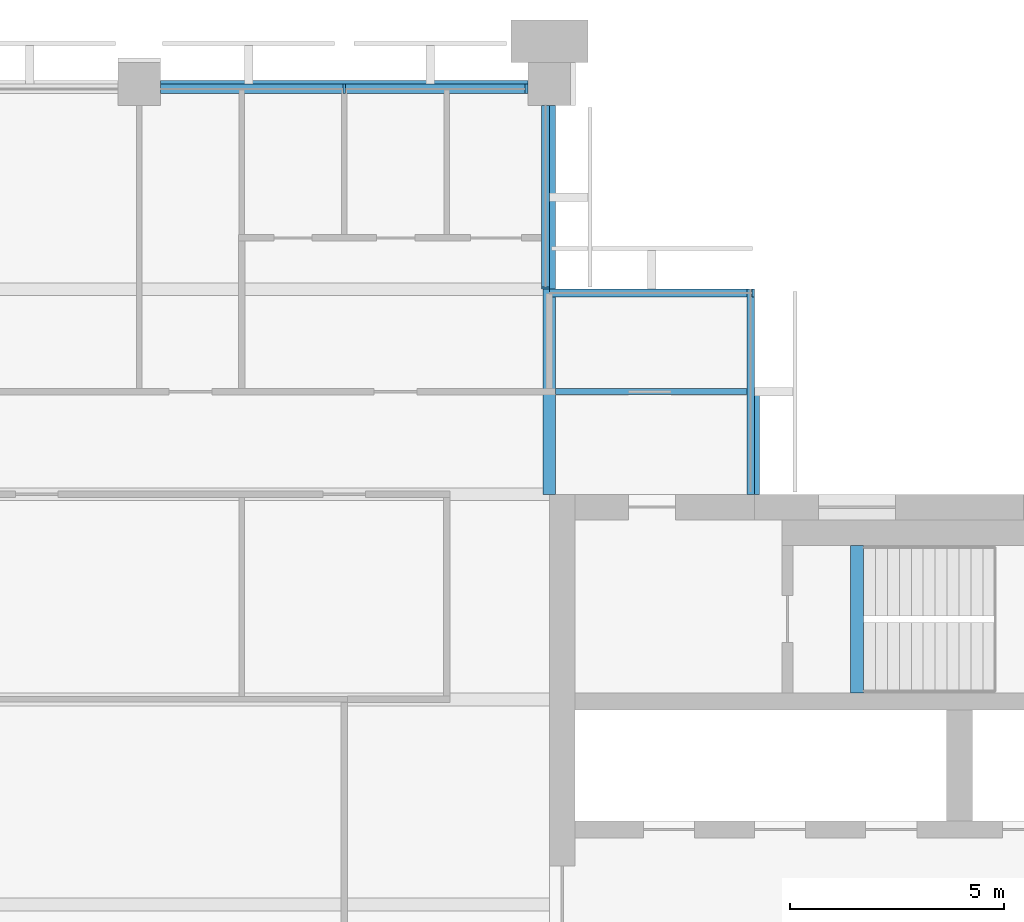
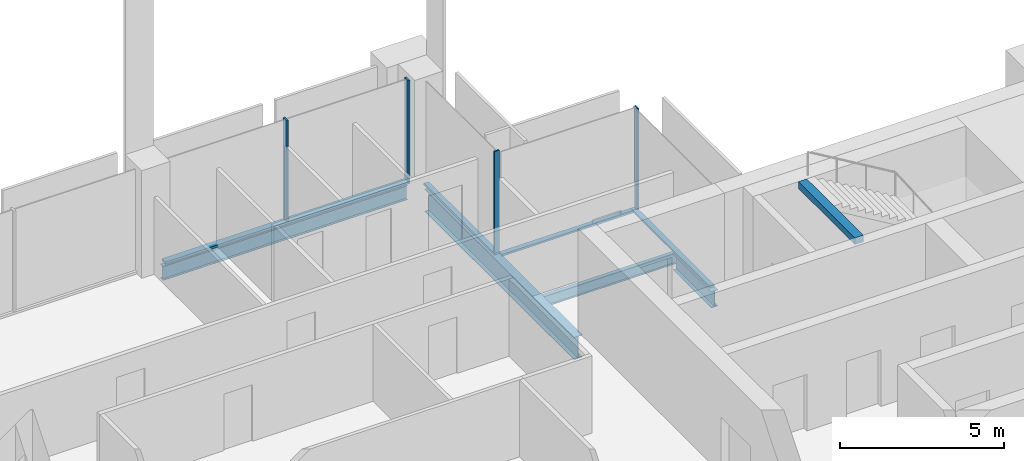
# One storey, part 6 of 13: 8 members, 5 beams, 4 elements without a shape of their own.
"""IFC4 building model written with IfcOpenShell, lengths in metres."""

from ifc_helpers import new_model, si_unit, direction, frame, origin, origin_2d, place, context, subcontext, project, spatial, rectangle, i_section, extrude, material, material_profile, profile_set, type_object, element, aggregate, save


model = new_model("IFC4")

# Units and contexts
model_context = context("Model", 3, precision=1e-05, world=origin(), true_north=direction((0.0, 1.0)))
body_context = subcontext(model_context, "Body", "Model", "MODEL_VIEW")
ifc_project = project(units=[si_unit("LENGTHUNIT", "METRE"), si_unit("AREAUNIT", "SQUARE_METRE"), si_unit("VOLUMEUNIT", "CUBIC_METRE"), si_unit("PLANEANGLEUNIT", "RADIAN"), si_unit("MASSUNIT", "GRAM", prefix="KILO")], contexts=[model_context])

# Site, building, storey
site_placement = place(None, origin())
site = spatial("IfcSite", under=ifc_project, at=site_placement, CompositionType="ELEMENT")
building_placement = place(site_placement, origin())
building = spatial("IfcBuilding", under=site, at=building_placement, Name="Baori Bourse Tower", CompositionType="ELEMENT")
storey_placement = place(building_placement, frame((0.0, 0.0, 318.300048828125)))
storey = spatial("IfcBuildingStorey", under=building, at=storey_placement, Name="L70", CompositionType="ELEMENT", Elevation=318.300048828125)

# Curtain wall, member
ifc_material_1 = material(Name="Pale anodised aluminium", Category="aluminium")
curtain_wall_type_1 = type_object("IfcCurtainWallType", Name="CW2 Curtain wall", PredefinedType="NOTDEFINED", material=ifc_material_1)
curtain_wall_1_placement = place(storey_placement, origin())
curtain_wall_1 = element("IfcCurtainWall", 1, at=curtain_wall_1_placement, inside=storey, type_object=curtain_wall_type_1, Name="Curtain wall CW2 L70 2", PredefinedType="NOTDEFINED")
ifc_material_2 = material(Name="Pale anodised aluminium", Category="aluminium")
ifc_material_profile_1 = material_profile(ifc_material_2, rectangle(XDim=0.179931640625, YDim=0.054931640625, at=origin_2d()), Name="Mullion 55x180")
ifc_profile_set_1 = profile_set([ifc_material_profile_1], Name="Pale anodised aluminium")
member_type_1 = type_object("IfcMemberType", Name="CW2 Curtain wall mullion", PredefinedType="MULLION", material=ifc_profile_set_1)
member_1_placement = place(storey_placement, frame((43.172607421875, 43.110107421875, 0.070068359375), z_axis=(0.0, 0.0, 1.0), x_axis=(0.0, -1.0, 0.0)))
member_1 = element("IfcMember", 2, at=member_1_placement, type_object=member_type_1, Name="Curtain wall CW2 mullion", PredefinedType="MULLION", context=body_context, shape_type="SweptSolid", body=[
    extrude(rectangle(XDim=0.179931640625, YDim=0.054931640625, at=origin_2d()), origin(), (0.0, 0.0, 1.0), 3.769775390625),
])

curtain_wall_2_placement = place(storey_placement, origin())
curtain_wall_2 = element("IfcCurtainWall", 3, at=curtain_wall_2_placement, inside=storey, type_object=curtain_wall_type_1, Name="Curtain wall CW2 L70 3", PredefinedType="NOTDEFINED")
member_2_placement = place(storey_placement, frame((38.31005859375, 43.2275390625, 0.070068359375), z_axis=(0.0, 0.0, 1.0), x_axis=(-1.0, 0.0, 0.0)))
member_2 = element("IfcMember", 4, at=member_2_placement, type_object=member_type_1, Name="Curtain wall CW2 mullion", PredefinedType="MULLION", context=body_context, shape_type="SweptSolid", body=[
    extrude(rectangle(XDim=0.179931640625, YDim=0.054931640625, at=origin_2d()), origin(), (0.0, 0.0, 1.0), 3.769775390625),
])

curtain_wall_3_placement = place(storey_placement, origin())
curtain_wall_3 = element("IfcCurtainWall", 5, at=curtain_wall_3_placement, inside=storey, type_object=curtain_wall_type_1, Name="Curtain wall CW2 L70 1", PredefinedType="NOTDEFINED")
ifc_material_3 = material(Name="Pale anodised aluminium", Category="aluminium")
ifc_material_profile_2 = material_profile(ifc_material_3, rectangle(XDim=0.179931640625, YDim=0.070068359375, at=origin_2d()), Name="Transom 70x180")
ifc_profile_set_2 = profile_set([ifc_material_profile_2], Name="Pale anodised aluminium")
member_type_2 = type_object("IfcMemberType", Name="CW2 Curtain wall transom", PredefinedType="USERDEFINED", material=ifc_profile_set_2)
member_3_placement = place(storey_placement, frame((43.110107421875, 38.39990234375, 0.034912109375), z_axis=(0.0, 1.0, 0.0), x_axis=(-1.0, 0.0, 0.0)))
member_3 = element("IfcMember", 6, at=member_3_placement, type_object=member_type_2, Name="Curtain wall CW2 sill rail", ObjectType="TRANSOM", PredefinedType="USERDEFINED", context=body_context, shape_type="SweptSolid", body=[
    extrude(rectangle(XDim=0.179931640625, YDim=0.070068359375, at=origin_2d()), origin(), (0.0, 0.0, 1.0), 4.800048828125),
])
aggregate(curtain_wall_3, [member_3])

# Member
member_4_placement = place(storey_placement, frame((43.199951171875, 43.110107421875, 0.034912109375), z_axis=(-1.0, 0.0, 0.0), x_axis=(0.0, -1.0, 0.0)))
member_4 = element("IfcMember", 7, at=member_4_placement, type_object=member_type_2, Name="Curtain wall CW2 sill rail", ObjectType="TRANSOM", PredefinedType="USERDEFINED", context=body_context, shape_type="SweptSolid", body=[
    extrude(rectangle(XDim=0.179931640625, YDim=0.070068359375, at=origin_2d()), origin(), (0.0, 0.0, 1.0), 4.800048828125),
])

aggregate(curtain_wall_1, [member_4, member_1])

member_5_placement = place(storey_placement, frame((38.31005859375, 43.199951171875, 0.034912109375), z_axis=(0.0, 1.0, 0.0), x_axis=(-1.0, 0.0, 0.0)))
member_5 = element("IfcMember", 8, at=member_5_placement, type_object=member_type_2, Name="Curtain wall CW2 sill rail", ObjectType="TRANSOM", PredefinedType="USERDEFINED", context=body_context, shape_type="SweptSolid", body=[
    extrude(rectangle(XDim=0.179931640625, YDim=0.070068359375, at=origin_2d()), origin(), (0.0, 0.0, 1.0), 4.300048828125),
])

aggregate(curtain_wall_2, [member_5, member_2])

# Curtain wall, members
ifc_material_4 = material(Name="Pale anodised aluminium", Category="aluminium")
curtain_wall_type_2 = type_object("IfcCurtainWallType", Name="CW5 Curtain wall", PredefinedType="NOTDEFINED", material=ifc_material_4)
curtain_wall_4_placement = place(storey_placement, origin())
curtain_wall_4 = element("IfcCurtainWall", 9, at=curtain_wall_4_placement, inside=storey, type_object=curtain_wall_type_2, Name="Curtain wall CW5 L70 4", PredefinedType="NOTDEFINED")
ifc_material_5 = material(Name="Pale anodised aluminium", Category="aluminium")
ifc_material_profile_3 = material_profile(ifc_material_5, rectangle(XDim=0.219970703125, YDim=0.06494140625, at=origin_2d()), Name="Mullion 65x220")
ifc_profile_set_3 = profile_set([ifc_material_profile_3], Name="Pale anodised aluminium")
member_type_3 = type_object("IfcMemberType", Name="CW5 Curtain wall mullion", PredefinedType="MULLION", material=ifc_profile_set_3)
member_6_placement = place(storey_placement, frame((37.867431640625, 47.889892578125, 0.0849609375), z_axis=(0.0, 0.0, 1.0), x_axis=(0.0, -1.0, 0.0)))
member_6 = element("IfcMember", 10, at=member_6_placement, type_object=member_type_3, Name="Curtain wall CW5 mullion", PredefinedType="MULLION", context=body_context, shape_type="SweptSolid", body=[
    extrude(rectangle(XDim=0.219970703125, YDim=0.06494140625, at=origin_2d()), origin(), (0.0, 0.0, 1.0), 3.7548828125),
])
member_7_placement = place(storey_placement, frame((33.60009765625, 47.889892578125, 0.0849609375), z_axis=(0.0, 0.0, 1.0), x_axis=(0.0, -1.0, 0.0)))
member_7 = element("IfcMember", 11, at=member_7_placement, type_object=member_type_3, Name="Curtain wall CW5 mullion", PredefinedType="MULLION", context=body_context, shape_type="SweptSolid", body=[
    extrude(rectangle(XDim=0.219970703125, YDim=0.06494140625, at=origin_2d()), origin(), (0.0, 0.0, 1.0), 3.7548828125),
])
ifc_material_6 = material(Name="Pale anodised aluminium", Category="aluminium")
ifc_material_profile_4 = material_profile(ifc_material_6, rectangle(XDim=0.219970703125, YDim=0.0849609375, at=origin_2d()), Name="Transom 85x220")
ifc_profile_set_4 = profile_set([ifc_material_profile_4], Name="Pale anodised aluminium")
member_type_4 = type_object("IfcMemberType", Name="CW5 Curtain wall transom", PredefinedType="USERDEFINED", material=ifc_profile_set_4)
member_8_placement = place(storey_placement, frame((37.89990234375, 47.889892578125, 0.04248046875), z_axis=(-1.0, 0.0, 0.0), x_axis=(0.0, -1.0, 0.0)))
member_8 = element("IfcMember", 12, at=member_8_placement, type_object=member_type_4, Name="Curtain wall CW5 sill rail", ObjectType="TRANSOM", PredefinedType="USERDEFINED", context=body_context, shape_type="SweptSolid", body=[
    extrude(rectangle(XDim=0.219970703125, YDim=0.0849609375, at=origin_2d()), origin(), (0.0, 0.0, 1.0), 8.599853515625),
])
aggregate(curtain_wall_4, [member_8, member_6, member_7])

# Beams
ifc_material_7 = material(Name="Steel A992 Gr 50", Category="steel")
ifc_material_profile_5 = material_profile(ifc_material_7, i_section(OverallWidth=0.227783203125, OverallDepth=0.60205078125, WebThickness=0.010498046875, FlangeThickness=0.014892578125, at=origin_2d()), Name="W24x68")
ifc_profile_set_5 = profile_set([ifc_material_profile_5], Name="Steel A992 Gr 50")
beam_type_1 = type_object("IfcBeamType", Name="Core bracket W24x68", PredefinedType="BEAM", material=ifc_profile_set_5)
beam_1_placement = place(storey_placement, frame((43.199951171875, 38.39990234375, -0.4609375), z_axis=(0.0, 1.0, 0.0), x_axis=(-1.0, 0.0, 0.0)))
element("IfcBeam", 13, at=beam_1_placement, inside=storey, type_object=beam_type_1, Name="Core bracket L70", PredefinedType="BEAM", context=body_context, shape_type="SweptSolid", body=[
    extrude(i_section(OverallWidth=0.227783203125, OverallDepth=0.60205078125, WebThickness=0.010498046875, FlangeThickness=0.014892578125, at=origin_2d()), origin(), (0.0, 0.0, 1.0), 2.329833984375),
])
ifc_material_8 = material(Name="Steel A992 Gr 50", Category="steel")
ifc_material_profile_6 = material_profile(ifc_material_8, i_section(OverallWidth=0.1650390625, OverallDepth=0.52587890625, WebThickness=0.0087890625, FlangeThickness=0.011474609375, at=origin_2d()), Name="W21x44")
ifc_profile_set_6 = profile_set([ifc_material_profile_6], Name="Steel A992 Gr 50")
beam_type_2 = type_object("IfcBeamType", Name="Edge beam W21x44", PredefinedType="BEAM", material=ifc_profile_set_6)
beam_2_placement = place(storey_placement, frame((29.300048828125, 48.0, -0.4228515625), z_axis=(1.0, 0.0, 0.0), x_axis=(0.0, 1.0, 0.0)))
element("IfcBeam", 14, at=beam_2_placement, inside=storey, type_object=beam_type_2, Name="Edge beam L70", PredefinedType="BEAM", context=body_context, shape_type="SweptSolid", body=[
    extrude(i_section(OverallWidth=0.1650390625, OverallDepth=0.52587890625, WebThickness=0.0087890625, FlangeThickness=0.011474609375, at=origin_2d()), origin(), (0.0, 0.0, 1.0), 8.599853515625),
])
ifc_material_9 = material(Name="Steel A992 Gr 50", Category="steel")
ifc_material_profile_7 = material_profile(ifc_material_9, i_section(OverallWidth=0.2919921875, OverallDepth=0.835693359375, WebThickness=0.013916015625, FlangeThickness=0.018798828125, at=origin_2d()), Name="W33x118")
ifc_profile_set_7 = profile_set([ifc_material_profile_7], Name="Steel A992 Gr 50")
beam_type_3 = type_object("IfcBeamType", Name="Girder W33x118", PredefinedType="BEAM", material=ifc_profile_set_7)
beam_3_placement = place(storey_placement, frame((38.39990234375, 38.39990234375, -0.577880859375), z_axis=(0.0, 1.0, 0.0), x_axis=(-1.0, 0.0, 0.0)))
element("IfcBeam", 15, at=beam_3_placement, inside=storey, type_object=beam_type_3, Name="Girder L70", PredefinedType="BEAM", context=body_context, shape_type="SweptSolid", body=[
    extrude(i_section(OverallWidth=0.2919921875, OverallDepth=0.835693359375, WebThickness=0.013916015625, FlangeThickness=0.018798828125, at=origin_2d()), origin(), (0.0, 0.0, 1.0), 9.10009765625),
])
ifc_material_10 = material(Name="Concrete f'c 50 MPa", Category="concrete")
ifc_material_profile_8 = material_profile(ifc_material_10, rectangle(XDim=0.300048828125, YDim=0.25, at=origin_2d()), Name="RC 300x250")
ifc_profile_set_8 = profile_set([ifc_material_profile_8], Name="Concrete f'c 50 MPa")
beam_type_4 = type_object("IfcBeamType", Name="Stair nib beam RC 300x250", PredefinedType="BEAM", material=ifc_profile_set_8)
beam_4_placement = place(storey_placement, frame((45.60009765625, 33.75, 3.71484375), z_axis=(0.0, 1.0, 0.0), x_axis=(-1.0, 0.0, 0.0)))
element("IfcBeam", 16, at=beam_4_placement, inside=storey, type_object=beam_type_4, Name="Stair EB nib beam L71", PredefinedType="BEAM", context=body_context, shape_type="SweptSolid", body=[
    extrude(rectangle(XDim=0.300048828125, YDim=0.25, at=origin_2d()), origin(), (0.0, 0.0, 1.0), 3.449951171875),
])
ifc_material_11 = material(Name="Steel A992 Gr 50", Category="steel")
ifc_material_profile_9 = material_profile(ifc_material_11, i_section(OverallWidth=0.140380859375, OverallDepth=0.40380859375, WebThickness=0.007080078125, FlangeThickness=0.01123046875, at=origin_2d()), Name="W16x31")
ifc_profile_set_9 = profile_set([ifc_material_profile_9], Name="Steel A992 Gr 50")
beam_type_5 = type_object("IfcBeamType", Name="Trimmer beam W16x31", PredefinedType="BEAM", material=ifc_profile_set_9)
beam_5_placement = place(storey_placement, frame((38.546142578125, 40.800048828125, -0.362060546875), z_axis=(1.0, 0.0, 0.0), x_axis=(0.0, 1.0, 0.0)))
element("IfcBeam", 17, at=beam_5_placement, inside=storey, type_object=beam_type_5, Name="Trimmer beam L70", PredefinedType="BEAM", context=body_context, shape_type="SweptSolid", body=[
    extrude(i_section(OverallWidth=0.140380859375, OverallDepth=0.40380859375, WebThickness=0.007080078125, FlangeThickness=0.01123046875, at=origin_2d()), origin(), (0.0, 0.0, 1.0), 4.65380859375),
])

save(model, "model.ifc")
